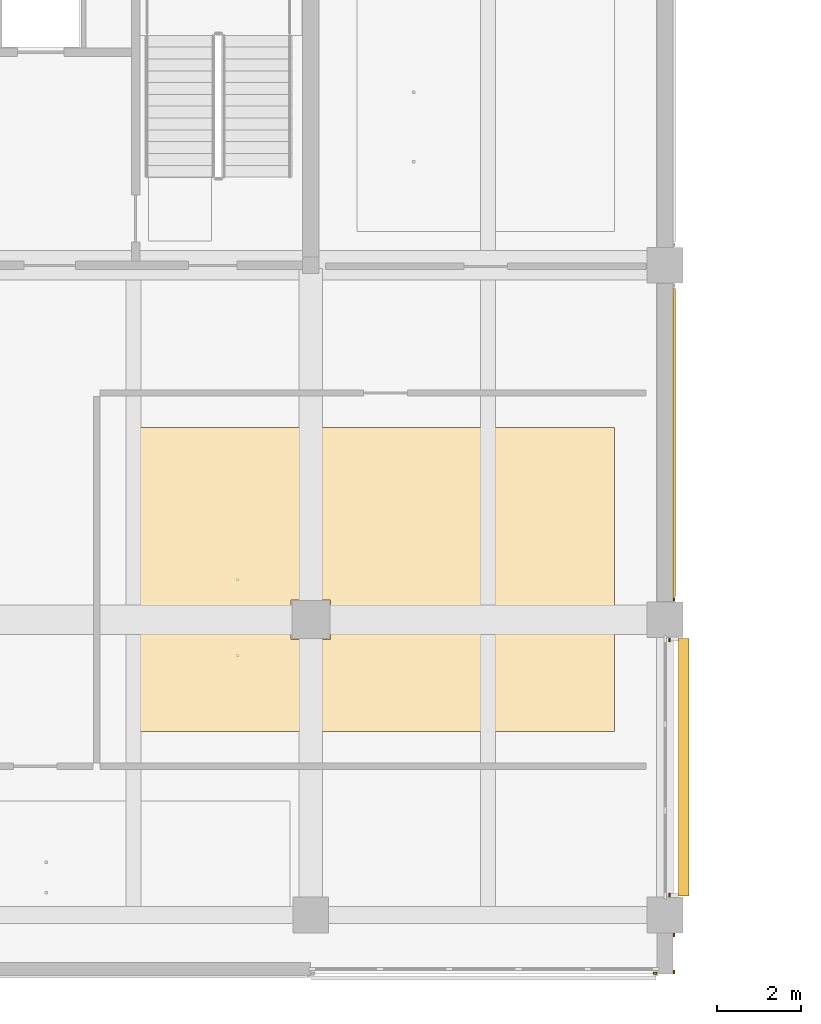
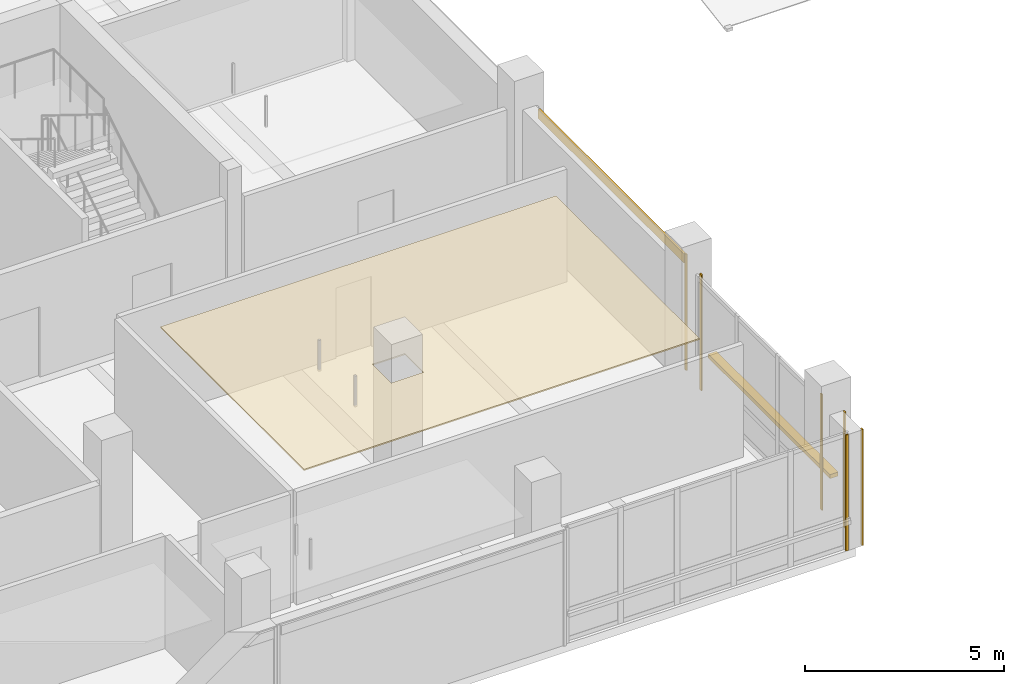
# One storey, part 37 of 39: 8 coverings, 1 shading device.
"""IFC4 building model written with IfcOpenShell, lengths in metres."""

from ifc_helpers import new_model, si_unit, direction, frame, origin, origin_2d, place, context, subcontext, project, spatial, polyline, rectangle, outline, extrude, material, layer, layer_set, type_object, element, save


model = new_model("IFC4")

# Units and contexts
model_context = context("Model", 3, precision=1e-05, world=origin(), true_north=direction((0.0, 1.0)))
body_context = subcontext(model_context, "Body", "Model", "MODEL_VIEW")
ifc_project = project(units=[si_unit("LENGTHUNIT", "METRE"), si_unit("AREAUNIT", "SQUARE_METRE"), si_unit("VOLUMEUNIT", "CUBIC_METRE"), si_unit("PLANEANGLEUNIT", "RADIAN"), si_unit("MASSUNIT", "GRAM", prefix="KILO")], contexts=[model_context])

# Site, building, storey
site_placement = place(None, origin())
site = spatial("IfcSite", under=ifc_project, at=site_placement, CompositionType="ELEMENT")
building_placement = place(site_placement, origin())
building = spatial("IfcBuilding", under=site, at=building_placement, Name="Telukmera Botanical Conservatory", CompositionType="ELEMENT")
storey_placement = place(building_placement, frame((0.0, 0.0, 19.5)))
storey = spatial("IfcBuildingStorey", under=building, at=storey_placement, Name="L04", CompositionType="ELEMENT", Elevation=19.5)

# Coverings
ifc_material_1 = material(Name="Perforated gypsum acoustic ceiling")
ifc_layer_1 = layer(ifc_material_1, 0.0400390625)
ifc_layer_set_1 = layer_set([ifc_layer_1], Name="Perforated gypsum acoustic ceiling")
covering_type_1 = type_object("IfcCoveringType", Name="COV-CEIL-40", PredefinedType="CEILING", material=ifc_layer_set_1)
covering_1_placement = place(storey_placement, frame((0.0, 0.0, 3.31005859375)))
element("IfcCovering", 1, at=covering_1_placement, inside=storey, type_object=covering_type_1, Name="L04 East Herbarium Curation Studio Suspended Acoustic Ceiling", PredefinedType="CEILING", context=body_context, shape_type="SweptSolid", body=[
    extrude(outline(polyline([(96.550048828125, 14.949951171875), (108.0, 14.949951171875), (108.0, 22.14990234375), (96.550048828125, 22.14990234375), (96.550048828125, 14.949951171875)]), holes=[polyline([(100.330078125, 17.1298828125), (101.27001953125, 17.1298828125), (101.27001953125, 18.070068359375), (100.330078125, 18.070068359375), (100.330078125, 17.1298828125)])]), origin(), (0.0, 0.0, 1.0), 0.0400390625),
])
ifc_material_2 = material(Name="Granite-faced precast concrete C40/50", Category="masonry")
ifc_layer_2 = layer(ifc_material_2, 0.0400390625)
ifc_layer_set_2 = layer_set([ifc_layer_2], Name="Granite-faced precast concrete C40/50")
covering_type_2 = type_object("IfcCoveringType", Name="Granite Precast Column Pier Reveal Casing", PredefinedType="CLADDING", material=ifc_layer_set_2)
for number, where, z_axis, x_axis, name in (
    (2, (109.409912109375, 9.25, 0.0), (0.0, 0.0, 1.0), (0.0, 1.0, 0.0), "Granite Pier Reveal V4:L04:SEC L"),
    (3, (109.409912109375, 10.123046875, 0.0), (0.0, 0.0, 1.0), (0.0, 1.0, 0.0), "Granite Pier Reveal V4:L04:SEC R"),
    (4, (108.9580078125, 9.219970703125, 0.0), (0.0, 0.0, 1.0), (1.0, 0.0, 0.0), "Granite Pier Reveal V4:L04:S7 R"),
    (5, (109.300048828125, 11.076904296875, 0.0), (0.0, 0.0, 1.0), (0.0, 1.0, 0.0), "Granite Pier Reveal V4:L04:E1 L"),
    (6, (109.300048828125, 17.123046875, 0.0), (0.0, 0.0, 1.0), (0.0, 1.0, 0.0), "Granite Pier Reveal V4:L04:E1 R"),
    (7, (109.409912109375, 18.076904296875, 0.0), (0.0, 0.0, 1.0), (0.0, 1.0, 0.0), "Granite Pier Reveal V4:L04:E2 L"),
):
    element("IfcCovering", number, at=place(storey_placement, frame(where, z_axis=z_axis, x_axis=x_axis)), inside=storey, type_object=covering_type_2, Name=name, PredefinedType="CLADDING", context=body_context, shape_type="SweptSolid", body=[
        extrude(rectangle(XDim=0.080078125, YDim=0.0400390625, at=origin_2d()), origin(), (0.0, 0.0, 1.0), 3.550048828125),
    ])

# Shading device
ifc_material_3 = material(Name="Perforated terracotta-anodised aluminium 6063-T6", Category="masonry")
ifc_layer_3 = layer(ifc_material_3, 0.044921875)
ifc_layer_set_3 = layer_set([ifc_layer_3], Name="Perforated terracotta-anodised aluminium 6063-T6")
shading_device_type = type_object("IfcShadingDeviceType", Name="Perforated Terracotta Aluminium Monsoon Brise Soleil", PredefinedType="JALOUSIE", material=ifc_layer_set_3)
shading_device_placement = place(storey_placement, frame((109.639892578125, 14.10009765625, 0.889892578125), z_axis=(0.0, 0.0, 1.0), x_axis=(0.0, 1.0, 0.0)))
element("IfcShadingDevice", 8, at=shading_device_placement, inside=storey, type_object=shading_device_type, Name="Monsoon Shading BS01 V4:L04:E1", PredefinedType="JALOUSIE", context=body_context, shape_type="SweptSolid", body=[
    extrude(rectangle(XDim=6.10595703125, YDim=0.239990234375, at=origin_2d()), origin(), (0.0, 0.0, 1.0), 0.1201171875),
])

# Covering
ifc_material_4 = material(Name="Terracotta-faced precast concrete C40/50", Category="masonry")
ifc_layer_4 = layer(ifc_material_4, 0.06005859375)
ifc_layer_set_4 = layer_set([ifc_layer_4], Name="Terracotta-faced precast concrete C40/50")
covering_type_3 = type_object("IfcCoveringType", Name="Polychrome Terracotta Facade Band Cladding", PredefinedType="CLADDING", material=ifc_layer_set_4)
covering_2_placement = place(storey_placement, frame((109.419921875, 21.800048828125, 3.22998046875), z_axis=(0.0, 0.0, 1.0), x_axis=(0.0, 1.0, 0.0)))
element("IfcCovering", 9, at=covering_2_placement, inside=storey, type_object=covering_type_3, Name="Polychrome Terracotta Band V4:L04:E2", PredefinedType="CLADDING", context=body_context, shape_type="SweptSolid", body=[
    extrude(rectangle(XDim=7.305908203125, YDim=0.06005859375, at=origin_2d()), origin(), (0.0, 0.0, 1.0), 0.280029296875),
])

save(model, "model.ifc")
